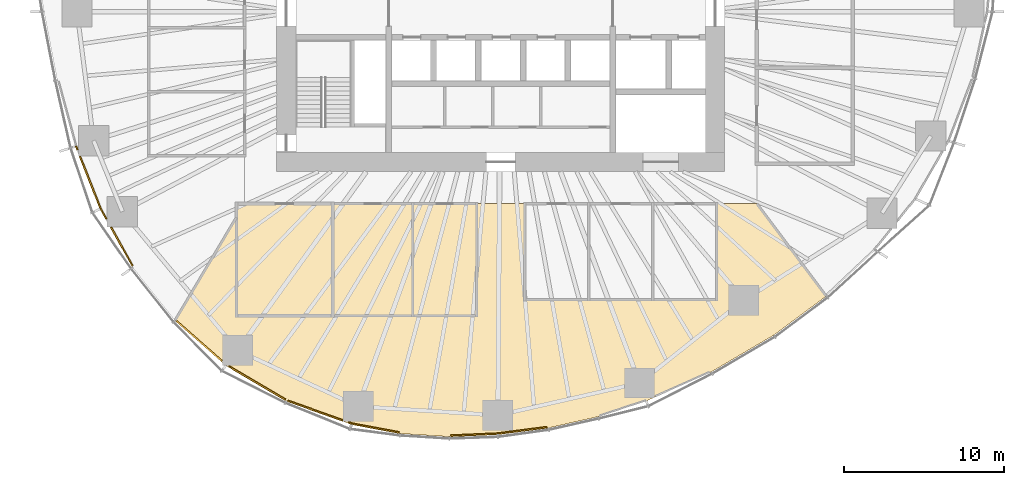
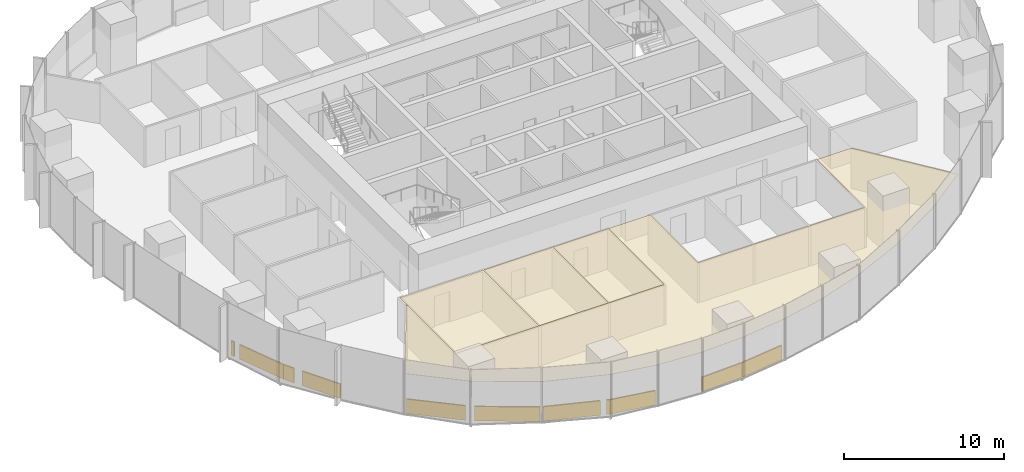
# One storey, part 17 of 20: 15 coverings.
"""IFC4 building model written with IfcOpenShell, lengths in metres."""

from ifc_helpers import new_model, si_unit, direction, frame, origin, origin_2d, place, context, subcontext, project, spatial, polyline, rectangle, outline, extrude, material, layer, layer_set, type_object, element, save


model = new_model("IFC4")

# Units and contexts
model_context = context("Model", 3, precision=1e-05, world=origin(), true_north=direction((0.0, 1.0)))
body_context = subcontext(model_context, "Body", "Model", "MODEL_VIEW")
ifc_project = project(units=[si_unit("LENGTHUNIT", "METRE"), si_unit("AREAUNIT", "SQUARE_METRE"), si_unit("VOLUMEUNIT", "CUBIC_METRE"), si_unit("PLANEANGLEUNIT", "RADIAN"), si_unit("MASSUNIT", "GRAM", prefix="KILO")], contexts=[model_context])

# Site, building, storey
site_placement = place(None, origin())
site = spatial("IfcSite", under=ifc_project, at=site_placement, CompositionType="ELEMENT")
building_placement = place(site_placement, origin())
building = spatial("IfcBuilding", under=site, at=building_placement, Name="Ghaith Harvest Tower", CompositionType="ELEMENT")
storey_placement = place(building_placement, frame((0.0, 0.0, 109.199951171875)))
storey = spatial("IfcBuildingStorey", under=building, at=storey_placement, Name="L22", CompositionType="ELEMENT", Elevation=109.199951171875)

# Coverings
ifc_material_1 = material(Name="Mineral fibre ceiling tile", Category="gypsum")
ifc_layer_1 = layer(ifc_material_1, 0.02001953125)
ifc_layer_set_1 = layer_set([ifc_layer_1], Name="CEILING C1")
covering_type_1 = type_object("IfcCoveringType", Name="CEILING C1", PredefinedType="CEILING", material=ifc_layer_set_1)
covering_1_placement = place(storey_placement, frame((0.0, 0.0, 3.0)))
element("IfcCovering", 1, at=covering_1_placement, inside=storey, type_object=covering_type_1, Name="Ceiling L22-13", PredefinedType="CEILING", context=body_context, shape_type="SweptSolid", body=[
    extrude(outline(polyline([(-16.5, -19.0), (-10.5, -19.0), (-10.5, -12.0), (-16.5, -12.0), (-16.5, -19.0)])), origin(), (0.0, 0.0, 1.0), 0.02001953125),
])
covering_2_placement = place(storey_placement, frame((0.0, 0.0, 3.0)))
element("IfcCovering", 2, at=covering_2_placement, inside=storey, type_object=covering_type_1, Name="Ceiling L22-14", PredefinedType="CEILING", context=body_context, shape_type="SweptSolid", body=[
    extrude(outline(polyline([(-10.5, -19.0), (-5.5, -19.0), (-5.5, -12.0), (-10.5, -12.0), (-10.5, -19.0)])), origin(), (0.0, 0.0, 1.0), 0.02001953125),
])
covering_3_placement = place(storey_placement, frame((0.0, 0.0, 3.0)))
element("IfcCovering", 3, at=covering_3_placement, inside=storey, type_object=covering_type_1, Name="Ceiling L22-15", PredefinedType="CEILING", context=body_context, shape_type="SweptSolid", body=[
    extrude(outline(polyline([(-5.5, -19.0), (-1.5, -19.0), (-1.5, -12.0), (-5.5, -12.0), (-5.5, -19.0)])), origin(), (0.0, 0.0, 1.0), 0.02001953125),
])
covering_4_placement = place(storey_placement, frame((0.0, 0.0, 3.0)))
element("IfcCovering", 4, at=covering_4_placement, inside=storey, type_object=covering_type_1, Name="Ceiling L22-S1", PredefinedType="CEILING", context=body_context, shape_type="SweptSolid", body=[
    extrude(outline(polyline([(17.054443359375, -20.22412109375), (13.163818359375, -22.510498046875), (9.09423828125, -24.326904296875), (6.09228515625, -25.308837890625), (2.99609375, -26.010009765625), (-0.180908203125, -26.423583984375), (-3.204833984375, -26.556884765625), (-6.2666015625, -26.366455078125), (-9.317138671875, -25.79638671875), (-13.4052734375, -24.33740234375), (-17.1728515625, -22.11181640625), (-20.35400390625, -19.31396484375), (-16.5, -12.83984375), (-16.5, -19.0), (-1.5, -19.0), (-1.5, -12.0), (1.5, -12.0), (1.5, -18.0), (13.5, -18.0), (13.5, -12.0), (16.0, -12.0), (20.33935546875, -17.784912109375), (17.054443359375, -20.22412109375)])), origin(), (0.0, 0.0, 1.0), 0.02001953125),
])
ifc_material_2 = material(Name="Insulated aluminium spandrel panel on steel framing", Category="steel")
ifc_layer_2 = layer(ifc_material_2, 0.10009765625)
ifc_layer_set_2 = layer_set([ifc_layer_2], Name="SLAB EDGE UPSTAND 1100x100")
covering_type_2 = type_object("IfcCoveringType", Name="SLAB EDGE UPSTAND 1100x100", PredefinedType="CLADDING", material=ifc_layer_set_2)
covering_5_placement = place(storey_placement, frame((-26.488037109375, -8.521484375, 0.0), z_axis=(0.0, 0.0, 1.0), x_axis=(0.365514970008, -0.930805461254, 0.0)))
element("IfcCovering", 5, at=covering_5_placement, inside=storey, type_object=covering_type_2, Name="Slab edge upstand 1 bay 12 L22", PredefinedType="CLADDING", context=body_context, shape_type="SweptSolid", body=[
    extrude(rectangle(XDim=0.249267578125, YDim=0.10009765625, at=origin_2d()), origin(), (0.0, 0.0, 1.0), 1.10009765625),
])
covering_6_placement = place(storey_placement, frame((-25.642578125, -10.6748046875, 0.0), z_axis=(0.0, 0.0, 1.0), x_axis=(0.365514970008, -0.930805461254, 0.0)))
element("IfcCovering", 6, at=covering_6_placement, inside=storey, type_object=covering_type_2, Name="Slab edge upstand 1 bay 12 L22", PredefinedType="CLADDING", context=body_context, shape_type="SweptSolid", body=[
    extrude(rectangle(XDim=3.51416015625, YDim=0.10009765625, at=origin_2d()), origin(), (0.0, 0.0, 1.0), 1.10009765625),
])
covering_7_placement = place(storey_placement, frame((-24.82080078125, -12.629638671875, 0.0), z_axis=(0.0, 0.0, 1.0), x_axis=(0.488683758288, -0.872460993045, 0.0)))
element("IfcCovering", 7, at=covering_7_placement, inside=storey, type_object=covering_type_2, Name="Slab edge upstand 2 bay 12 L22", PredefinedType="CLADDING", context=body_context, shape_type="SweptSolid", body=[
    extrude(rectangle(XDim=0.74609375, YDim=0.10009765625, at=origin_2d()), origin(), (0.0, 0.0, 1.0), 1.10009765625),
])
covering_8_placement = place(storey_placement, frame((-23.67138671875, -14.681640625, 0.0), z_axis=(0.0, 0.0, 1.0), x_axis=(0.488683758288, -0.872460993045, 0.0)))
element("IfcCovering", 8, at=covering_8_placement, inside=storey, type_object=covering_type_2, Name="Slab edge upstand 2 bay 12 L22", PredefinedType="CLADDING", context=body_context, shape_type="SweptSolid", body=[
    extrude(rectangle(XDim=2.7607421875, YDim=0.10009765625, at=origin_2d()), origin(), (0.0, 0.0, 1.0), 1.10009765625),
])
covering_9_placement = place(storey_placement, frame((-18.837890625, -20.580810546875, 0.0), z_axis=(0.0, 0.0, 1.0), x_axis=(0.75089221411, -0.660424774511, 0.0)))
element("IfcCovering", 9, at=covering_9_placement, inside=storey, type_object=covering_type_2, Name="Slab edge upstand 2 bay 13 L22", PredefinedType="CLADDING", context=body_context, shape_type="SweptSolid", body=[
    extrude(rectangle(XDim=3.75, YDim=0.10009765625, at=origin_2d()), origin(), (0.0, 0.0, 1.0), 1.10009765625),
])
covering_10_placement = place(storey_placement, frame((-15.2236328125, -23.205078125, 0.0), z_axis=(0.0, 0.0, 1.0), x_axis=(0.861020519069, -0.508570217121, 0.0)))
element("IfcCovering", 10, at=covering_10_placement, inside=storey, type_object=covering_type_2, Name="Slab edge upstand 1 bay 14 L22", PredefinedType="CLADDING", context=body_context, shape_type="SweptSolid", body=[
    extrude(rectangle(XDim=4.082763671875, YDim=0.10009765625, at=origin_2d()), origin(), (0.0, 0.0, 1.0), 1.10009765625),
])
covering_11_placement = place(storey_placement, frame((-11.590087890625, -24.93212890625, 0.0), z_axis=(0.0, 0.0, 1.0), x_axis=(0.941807015649, -0.336154049915, 0.0)))
element("IfcCovering", 11, at=covering_11_placement, inside=storey, type_object=covering_type_2, Name="Slab edge upstand 2 bay 14 L22", PredefinedType="CLADDING", context=body_context, shape_type="SweptSolid", body=[
    extrude(rectangle(XDim=3.618896484375, YDim=0.10009765625, at=origin_2d()), origin(), (0.0, 0.0, 1.0), 1.10009765625),
])
covering_12_placement = place(storey_placement, frame((-9.404296875, -25.712158203125, 0.0), z_axis=(0.0, 0.0, 1.0), x_axis=(0.941807015649, -0.336154049915, 0.0)))
element("IfcCovering", 12, at=covering_12_placement, inside=storey, type_object=covering_type_2, Name="Slab edge upstand 2 bay 14 L22", PredefinedType="CLADDING", context=body_context, shape_type="SweptSolid", body=[
    extrude(rectangle(XDim=0.22119140625, YDim=0.10009765625, at=origin_2d()), origin(), (0.0, 0.0, 1.0), 1.10009765625),
])
covering_13_placement = place(storey_placement, frame((-7.831787109375, -26.023193359375, 0.0), z_axis=(0.0, 0.0, 1.0), x_axis=(0.982990071164, -0.183658705191, 0.0)))
element("IfcCovering", 13, at=covering_13_placement, inside=storey, type_object=covering_type_2, Name="Slab edge upstand 1 bay 15 L22", PredefinedType="CLADDING", context=body_context, shape_type="SweptSolid", body=[
    extrude(rectangle(XDim=3.003173828125, YDim=0.10009765625, at=origin_2d()), origin(), (0.0, 0.0, 1.0), 1.10009765625),
])
covering_14_placement = place(storey_placement, frame((-1.64501953125, -26.43798828125, 0.0), z_axis=(0.0, 0.0, 1.0), x_axis=(0.999029547734, 0.044045008275, 0.0)))
element("IfcCovering", 14, at=covering_14_placement, inside=storey, type_object=covering_type_2, Name="Slab edge upstand 3 bay 15 L22", PredefinedType="CLADDING", context=body_context, shape_type="SweptSolid", body=[
    extrude(rectangle(XDim=2.927001953125, YDim=0.10009765625, at=origin_2d()), origin(), (0.0, 0.0, 1.0), 1.10009765625),
])
covering_15_placement = place(storey_placement, frame((1.3515625, -26.173583984375, 0.0), z_axis=(0.0, 0.0, 1.0), x_axis=(0.991633707242, 0.129083657611, 0.0)))
element("IfcCovering", 15, at=covering_15_placement, inside=storey, type_object=covering_type_2, Name="Slab edge upstand 1 bay 16 L22", PredefinedType="CLADDING", context=body_context, shape_type="SweptSolid", body=[
    extrude(rectangle(XDim=3.103759765625, YDim=0.10009765625, at=origin_2d()), origin(), (0.0, 0.0, 1.0), 1.10009765625),
])

save(model, "model.ifc")
